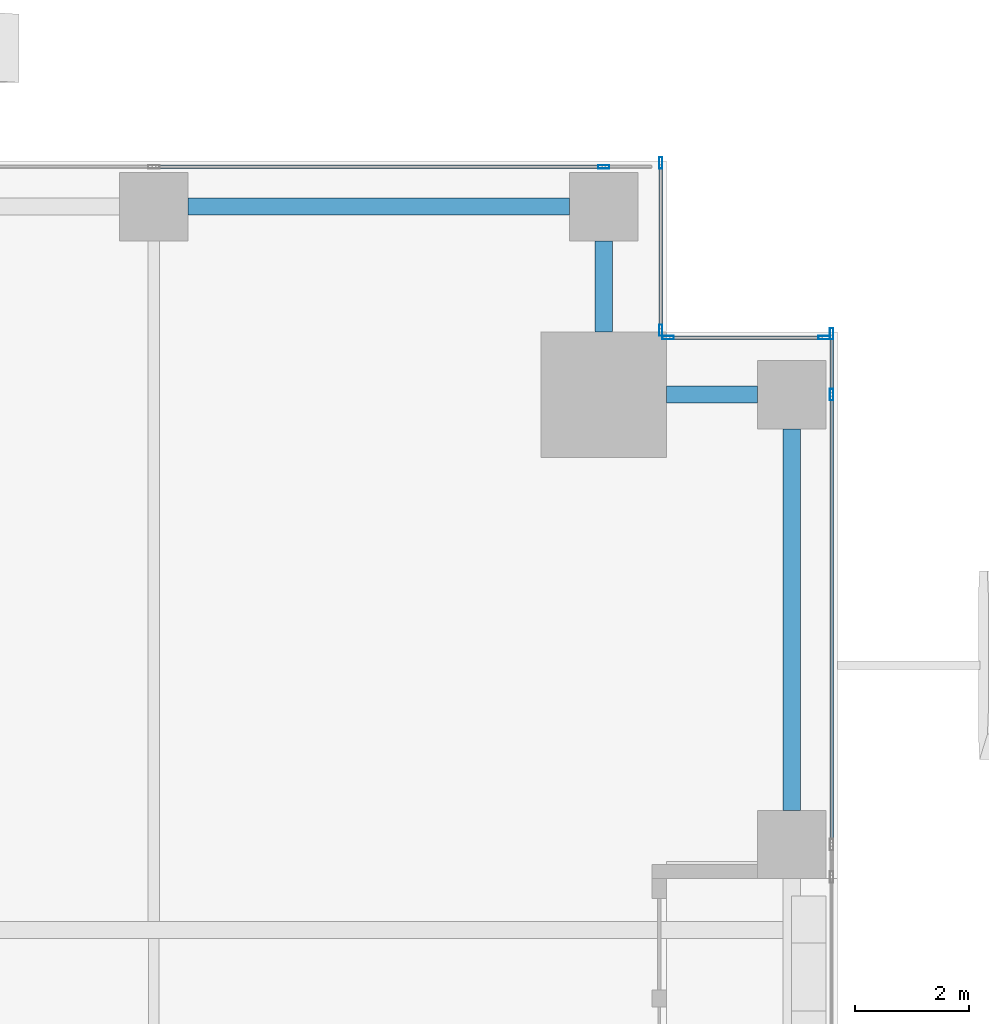
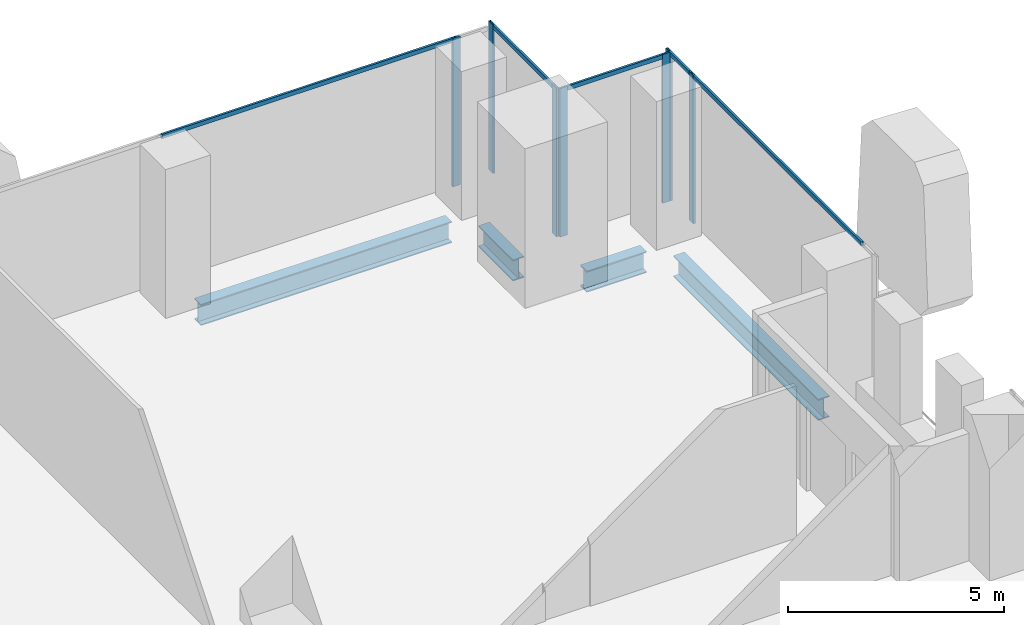
# One storey, part 20 of 35: 12 members, 4 beams, 4 elements without a shape of their own.
"""IFC4 building model written with IfcOpenShell, lengths in metres."""

from ifc_helpers import new_model, si_unit, direction, frame, origin, origin_2d, place, context, subcontext, project, spatial, hollow_rectangle, i_section, extrude, source, transform, mapped, material, material_profile, profile_set, type_object, element, aggregate, save


model = new_model("IFC4")

# Units and contexts
model_context = context("Model", 3, precision=1e-05, world=origin(), true_north=direction((0.0, 1.0)))
body_context = subcontext(model_context, "Body", "Model", "MODEL_VIEW")
ifc_project = project(units=[si_unit("LENGTHUNIT", "METRE"), si_unit("AREAUNIT", "SQUARE_METRE"), si_unit("VOLUMEUNIT", "CUBIC_METRE"), si_unit("PLANEANGLEUNIT", "RADIAN"), si_unit("MASSUNIT", "GRAM", prefix="KILO")], contexts=[model_context])

# Site, building, storey
site_placement = place(None, origin())
site = spatial("IfcSite", under=ifc_project, at=site_placement, CompositionType="ELEMENT")
building_placement = place(site_placement, origin())
building = spatial("IfcBuilding", under=site, at=building_placement, Name="Khomas Fold Tower", CompositionType="ELEMENT")
storey_placement = place(building_placement, frame((0.0, 0.0, 69.0)))
storey = spatial("IfcBuildingStorey", under=building, at=storey_placement, Name="L14", CompositionType="ELEMENT", Elevation=69.0)

# Beams
ifc_material_1 = material(Name="Steel S355", Category="steel")
ifc_material_profile_1 = material_profile(ifc_material_1, i_section(OverallWidth=0.300048828125, OverallDepth=0.60009765625, WebThickness=0.015380859375, FlangeThickness=0.030029296875, at=origin_2d()), Name="HE 600 B")
ifc_profile_set_1 = profile_set([ifc_material_profile_1], Name="Steel S355")
beam_type = type_object("IfcBeamType", Name="HE 600 B spandrel SB1", PredefinedType="SPANDREL", material=ifc_profile_set_1)
shared_shape_1 = source(origin(), body_context, "Body", "SweptSolid", [
    extrude(i_section(OverallWidth=0.300048828125, OverallDepth=0.60009765625, WebThickness=0.015380859375, FlangeThickness=0.030029296875, at=origin_2d()), origin(), (0.0, 0.0, 1.0), 6.699951171875),
])
for number, where, z_axis, x_axis, name in (
    (1, (53.199951171875, 42.60009765625, -0.60009765625), (0.0, 1.0, 0.0), (-1.0, 0.0, 0.0), "SB1"),
    (2, (42.60009765625, 53.199951171875, -0.60009765625), (1.0, 0.0, 0.0), (0.0, 1.0, 0.0), "SB1"),
):
    element("IfcBeam", number, at=place(storey_placement, frame(where, z_axis=z_axis, x_axis=x_axis)), inside=storey, type_object=beam_type, Name=name, PredefinedType="SPANDREL", context=body_context, shape_type="MappedRepresentation", body=[
        mapped(shared_shape_1, transform((0.0, 0.0, 0.0))),
    ])
shared_shape_2 = source(origin(), body_context, "Body", "SweptSolid", [
    extrude(i_section(OverallWidth=0.300048828125, OverallDepth=0.60009765625, WebThickness=0.015380859375, FlangeThickness=0.030029296875, at=origin_2d()), origin(), (0.0, 0.0, 1.0), 1.60009765625),
])
for number, where, z_axis, x_axis, name in (
    (3, (51.0, 49.89990234375, -0.60009765625), (1.0, 0.0, 0.0), (0.0, 1.0, 0.0), "SB1"),
    (4, (49.89990234375, 51.0, -0.60009765625), (0.0, 1.0, 0.0), (-1.0, 0.0, 0.0), "SB1"),
):
    element("IfcBeam", number, at=place(storey_placement, frame(where, z_axis=z_axis, x_axis=x_axis)), inside=storey, type_object=beam_type, Name=name, PredefinedType="SPANDREL", context=body_context, shape_type="MappedRepresentation", body=[
        mapped(shared_shape_2, transform((0.0, 0.0, 0.0))),
    ])

# Curtain wall, member
ifc_material_2 = material(Name="Aluminium framed double glazing", Category="aluminium")
curtain_wall_type = type_object("IfcCurtainWallType", Name="SK-Unitised clear-glass wall, growing floors CW1", PredefinedType="NOTDEFINED", material=ifc_material_2)
curtain_wall_1_placement = place(storey_placement, origin())
curtain_wall_1 = element("IfcCurtainWall", 5, at=curtain_wall_1_placement, inside=storey, type_object=curtain_wall_type, Name="CW1 run L14 03-1", PredefinedType="NOTDEFINED")
ifc_material_3 = material(Name="Aluminium", Category="aluminium")
ifc_material_profile_2 = material_profile(ifc_material_3, hollow_rectangle(XDim=0.06005859375, YDim=0.1201171875, WallThickness=0.00390625, at=origin_2d()), Name="SK-Unitised clear-glass wall, growing floors transom CW1-T")
ifc_profile_set_2 = profile_set([ifc_material_profile_2], Name="Aluminium")
member_type_1 = type_object("IfcMemberType", Name="SK-Unitised clear-glass wall, growing floors transom CW1-T", PredefinedType="USERDEFINED", material=ifc_profile_set_2)
shared_shape_3 = source(origin(), body_context, "Body", "SweptSolid", [
    extrude(hollow_rectangle(XDim=0.06005859375, YDim=0.1201171875, WallThickness=0.00390625, at=origin_2d()), origin(), (0.0, 0.0, 1.0), 7.840087890625),
])
member_1_placement = place(storey_placement, frame((53.89990234375, 42.030029296875, 4.139892578125), z_axis=(0.0, 1.0, 0.0), x_axis=(-1.0, 0.0, 0.0)))
member_1 = element("IfcMember", 6, at=member_1_placement, type_object=member_type_1, Name="CW1 transom 2", ObjectType="TRANSOM", PredefinedType="USERDEFINED", context=body_context, shape_type="MappedRepresentation", body=[
    mapped(shared_shape_3, transform((0.0, 0.0, 0.0))),
])

curtain_wall_2_placement = place(storey_placement, origin())
curtain_wall_2 = element("IfcCurtainWall", 7, at=curtain_wall_2_placement, inside=storey, type_object=curtain_wall_type, Name="CW1 run L14 06-0", PredefinedType="NOTDEFINED")
member_2_placement = place(storey_placement, frame((49.8701171875, 53.89990234375, 4.139892578125), z_axis=(-1.0, 0.0, 0.0), x_axis=(0.0, -1.0, 0.0)))
member_2 = element("IfcMember", 8, at=member_2_placement, type_object=member_type_1, Name="CW1 transom 2", ObjectType="TRANSOM", PredefinedType="USERDEFINED", context=body_context, shape_type="MappedRepresentation", body=[
    mapped(shared_shape_3, transform((0.0, 0.0, 0.0))),
])

# Member
shared_shape_4 = source(origin(), body_context, "Body", "SweptSolid", [
    extrude(hollow_rectangle(XDim=0.06005859375, YDim=0.1201171875, WallThickness=0.00390625, at=origin_2d()), origin(), (0.0, 0.0, 1.0), 1.010009765625),
])
member_3_placement = place(storey_placement, frame((53.89990234375, 49.929931640625, 4.139892578125), z_axis=(0.0, 1.0, 0.0), x_axis=(-1.0, 0.0, 0.0)))
member_3 = element("IfcMember", 9, at=member_3_placement, type_object=member_type_1, Name="CW1 transom 3", ObjectType="TRANSOM", PredefinedType="USERDEFINED", context=body_context, shape_type="MappedRepresentation", body=[
    mapped(shared_shape_4, transform((0.0, 0.0, 0.0))),
])

# Curtain wall, member
curtain_wall_3_placement = place(storey_placement, origin())
curtain_wall_3 = element("IfcCurtainWall", 10, at=curtain_wall_3_placement, inside=storey, type_object=curtain_wall_type, Name="CW1 corner return L14 04", PredefinedType="NOTDEFINED")
shared_shape_5 = source(origin(), body_context, "Body", "SweptSolid", [
    extrude(hollow_rectangle(XDim=0.06005859375, YDim=0.1201171875, WallThickness=0.00390625, at=origin_2d()), origin(), (0.0, 0.0, 1.0), 2.679931640625),
])
member_4_placement = place(storey_placement, frame((53.739990234375, 50.89990234375, 4.139892578125), z_axis=(-1.0, 0.0, 0.0), x_axis=(0.0, -1.0, 0.0)))
member_4 = element("IfcMember", 11, at=member_4_placement, type_object=member_type_1, Name="CW1 transom 1", ObjectType="TRANSOM", PredefinedType="USERDEFINED", context=body_context, shape_type="MappedRepresentation", body=[
    mapped(shared_shape_5, transform((0.0, 0.0, 0.0))),
])

curtain_wall_4_placement = place(storey_placement, origin())
curtain_wall_4 = element("IfcCurtainWall", 12, at=curtain_wall_4_placement, inside=storey, type_object=curtain_wall_type, Name="CW1 corner return L14 05", PredefinedType="NOTDEFINED")
shared_shape_6 = source(origin(), body_context, "Body", "SweptSolid", [
    extrude(hollow_rectangle(XDim=0.06005859375, YDim=0.1201171875, WallThickness=0.00390625, at=origin_2d()), origin(), (0.0, 0.0, 1.0), 2.8798828125),
])
member_5_placement = place(storey_placement, frame((50.89990234375, 51.06005859375, 4.139892578125), z_axis=(0.0, 1.0, 0.0), x_axis=(-1.0, 0.0, 0.0)))
member_5 = element("IfcMember", 13, at=member_5_placement, type_object=member_type_1, Name="CW1 transom 1", ObjectType="TRANSOM", PredefinedType="USERDEFINED", context=body_context, shape_type="MappedRepresentation", body=[
    mapped(shared_shape_6, transform((0.0, 0.0, 0.0))),
])

# Member
ifc_material_4 = material(Name="Aluminium", Category="aluminium")
ifc_material_profile_3 = material_profile(ifc_material_4, hollow_rectangle(XDim=0.06005859375, YDim=0.199951171875, WallThickness=0.00390625, at=origin_2d()), Name="SK-Unitised clear-glass wall, growing floors mullion CW1-M")
ifc_profile_set_3 = profile_set([ifc_material_profile_3], Name="Aluminium")
member_type_2 = type_object("IfcMemberType", Name="SK-Unitised clear-glass wall, growing floors mullion CW1-M", PredefinedType="MULLION", material=ifc_profile_set_3)
shared_shape_7 = source(origin(), body_context, "Body", "SweptSolid", [
    extrude(hollow_rectangle(XDim=0.06005859375, YDim=0.199951171875, WallThickness=0.00390625, at=origin_2d()), origin(), (0.0, 0.0, 1.0), 4.199951171875),
])
member_6_placement = place(storey_placement, frame((53.89990234375, 49.89990234375, 0.0), z_axis=(0.0, 0.0, 1.0), x_axis=(-1.0, 0.0, 0.0)))
member_6 = element("IfcMember", 14, at=member_6_placement, type_object=member_type_2, Name="CW1 mullion 3", PredefinedType="MULLION", context=body_context, shape_type="MappedRepresentation", body=[
    mapped(shared_shape_7, transform((0.0, 0.0, 0.0))),
])

member_7_placement = place(storey_placement, frame((53.89990234375, 50.969970703125, 0.0), z_axis=(0.0, 0.0, 1.0), x_axis=(-1.0, 0.0, 0.0)))
member_7 = element("IfcMember", 15, at=member_7_placement, type_object=member_type_2, Name="CW1 mullion 4", PredefinedType="MULLION", context=body_context, shape_type="MappedRepresentation", body=[
    mapped(shared_shape_7, transform((0.0, 0.0, 0.0))),
])

aggregate(curtain_wall_1, [member_6, member_7, member_1, member_3])

member_8_placement = place(storey_placement, frame((53.77001953125, 50.89990234375, 0.0), z_axis=(0.0, 0.0, 1.0), x_axis=(0.0, -1.0, 0.0)))
member_8 = element("IfcMember", 16, at=member_8_placement, type_object=member_type_2, Name="CW1 mullion 1", PredefinedType="MULLION", context=body_context, shape_type="MappedRepresentation", body=[
    mapped(shared_shape_7, transform((0.0, 0.0, 0.0))),
])

member_9_placement = place(storey_placement, frame((51.030029296875, 50.89990234375, 0.0), z_axis=(0.0, 0.0, 1.0), x_axis=(0.0, -1.0, 0.0)))
member_9 = element("IfcMember", 17, at=member_9_placement, type_object=member_type_2, Name="CW1 mullion 2", PredefinedType="MULLION", context=body_context, shape_type="MappedRepresentation", body=[
    mapped(shared_shape_7, transform((0.0, 0.0, 0.0))),
])

aggregate(curtain_wall_3, [member_8, member_9, member_4])

member_10_placement = place(storey_placement, frame((50.89990234375, 51.030029296875, 0.0), z_axis=(0.0, 0.0, 1.0), x_axis=(-1.0, 0.0, 0.0)))
member_10 = element("IfcMember", 18, at=member_10_placement, type_object=member_type_2, Name="CW1 mullion 1", PredefinedType="MULLION", context=body_context, shape_type="MappedRepresentation", body=[
    mapped(shared_shape_7, transform((0.0, 0.0, 0.0))),
])

member_11_placement = place(storey_placement, frame((50.89990234375, 53.969970703125, 0.0), z_axis=(0.0, 0.0, 1.0), x_axis=(-1.0, 0.0, 0.0)))
member_11 = element("IfcMember", 19, at=member_11_placement, type_object=member_type_2, Name="CW1 mullion 2", PredefinedType="MULLION", context=body_context, shape_type="MappedRepresentation", body=[
    mapped(shared_shape_7, transform((0.0, 0.0, 0.0))),
])

aggregate(curtain_wall_4, [member_10, member_11, member_5])

member_12_placement = place(storey_placement, frame((49.89990234375, 53.89990234375, 0.0), z_axis=(0.0, 0.0, 1.0), x_axis=(0.0, -1.0, 0.0)))
member_12 = element("IfcMember", 20, at=member_12_placement, type_object=member_type_2, Name="CW1 mullion 2", PredefinedType="MULLION", context=body_context, shape_type="MappedRepresentation", body=[
    mapped(shared_shape_7, transform((0.0, 0.0, 0.0))),
])

aggregate(curtain_wall_2, [member_12, member_2])

save(model, "model.ifc")
